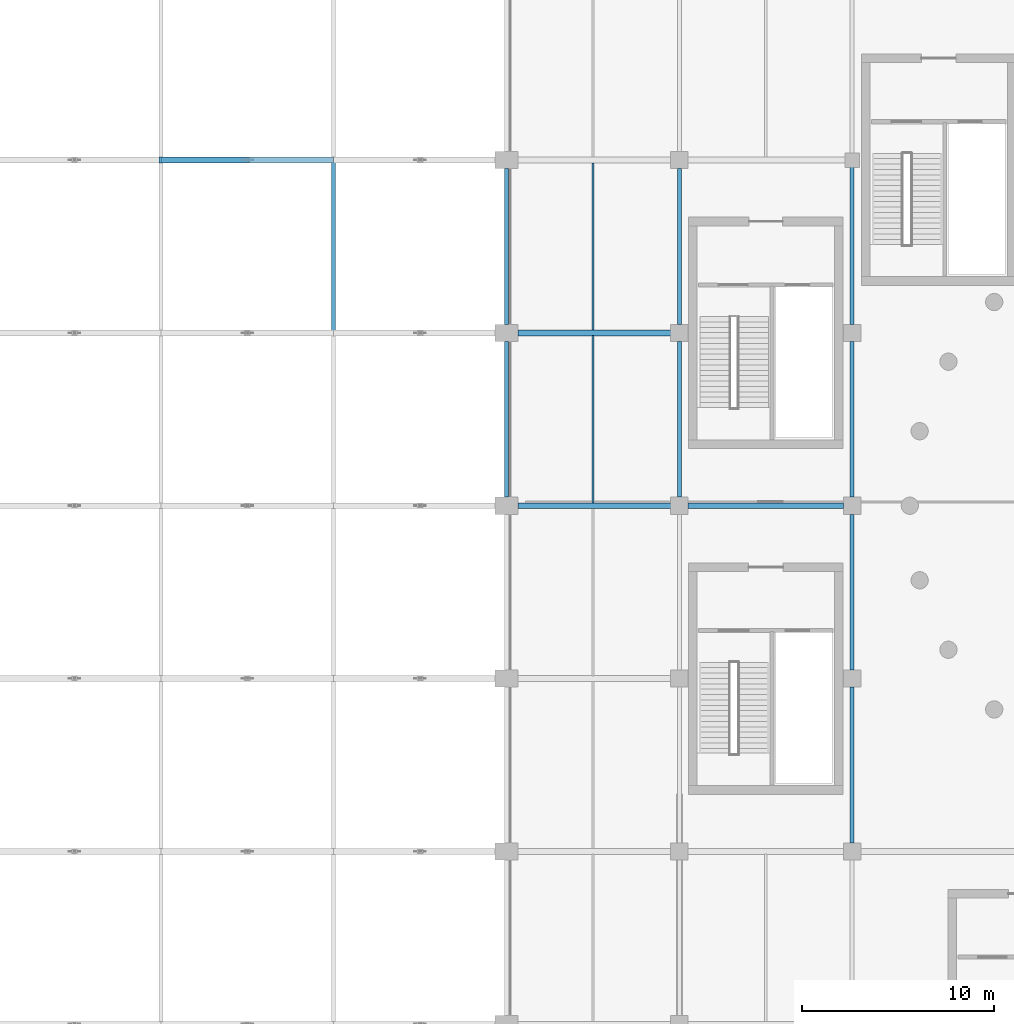
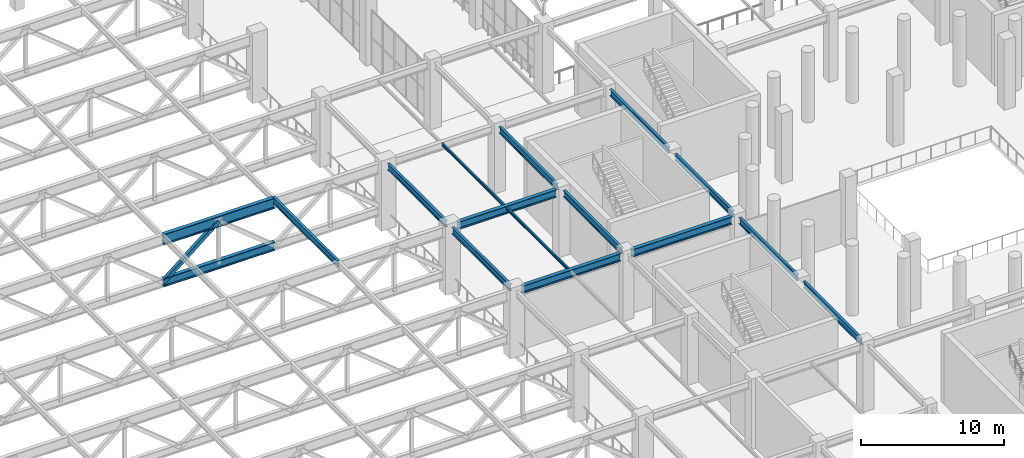
# One storey, part 25 of 223: 16 beams, 1 member.
"""IFC4 building model written with IfcOpenShell, lengths in metres."""

from ifc_helpers import new_model, si_unit, direction, frame, origin, origin_2d, place, context, subcontext, project, spatial, hollow_rectangle, i_section, extrude, material, material_profile, profile_set, type_object, element, save


model = new_model("IFC4")

# Units and contexts
model_context = context("Model", 3, precision=1e-05, world=origin(), true_north=direction((0.0, 1.0)))
body_context = subcontext(model_context, "Body", "Model", "MODEL_VIEW")
ifc_project = project(units=[si_unit("LENGTHUNIT", "METRE"), si_unit("AREAUNIT", "SQUARE_METRE"), si_unit("VOLUMEUNIT", "CUBIC_METRE"), si_unit("PLANEANGLEUNIT", "RADIAN"), si_unit("MASSUNIT", "GRAM", prefix="KILO")], contexts=[model_context])

# Site, building, storey
site_placement = place(None, origin())
site = spatial("IfcSite", under=ifc_project, at=site_placement, CompositionType="ELEMENT")
building_placement = place(site_placement, origin())
building = spatial("IfcBuilding", under=site, at=building_placement, Name="Dornveld Trade and Exhibition Forum", CompositionType="ELEMENT")
storey_placement = place(building_placement, frame((0.0, 0.0, 6.0)))
storey = spatial("IfcBuildingStorey", under=building, at=storey_placement, Name="L01", CompositionType="ELEMENT", Elevation=6.0)

# Beams
ifc_material_1 = material(Name="Steel S355J2", Category="steel")
ifc_material_profile_1 = material_profile(ifc_material_1, i_section(OverallWidth=0.300048828125, OverallDepth=0.64990234375, WebThickness=0.01611328125, FlangeThickness=0.031005859375, FilletRadius=0.027099609375, at=origin_2d()), Name="HEB 650")
ifc_profile_set_1 = profile_set([ifc_material_profile_1], Name="Steel S355J2")
beam_type_1 = type_object("IfcBeamType", Name="BM-GIR-HEB650", PredefinedType="USERDEFINED", material=ifc_profile_set_1)
beam_1_placement = place(storey_placement, frame((81.595947265625, 81.0, 5.31494140625), z_axis=(1.0, 0.0, 0.0), x_axis=(0.0, 1.0, 0.0)))
element("IfcBeam", 1, at=beam_1_placement, inside=storey, type_object=beam_type_1, Name="L01 X-girder 1179", ObjectType="GIRDER", PredefinedType="USERDEFINED", context=body_context, shape_type="SweptSolid", body=[
    extrude(i_section(OverallWidth=0.300048828125, OverallDepth=0.64990234375, WebThickness=0.01611328125, FlangeThickness=0.031005859375, FilletRadius=0.027099609375, at=origin_2d()), origin(), (0.0, 0.0, 1.0), 7.9580078125),
])
beam_2_placement = place(storey_placement, frame((90.446044921875, 81.0, 5.31494140625), z_axis=(1.0, 0.0, 0.0), x_axis=(0.0, 1.0, 0.0)))
element("IfcBeam", 2, at=beam_2_placement, inside=storey, type_object=beam_type_1, Name="L01 X-girder 1180", ObjectType="GIRDER", PredefinedType="USERDEFINED", context=body_context, shape_type="SweptSolid", body=[
    extrude(i_section(OverallWidth=0.300048828125, OverallDepth=0.64990234375, WebThickness=0.01611328125, FlangeThickness=0.031005859375, FilletRadius=0.027099609375, at=origin_2d()), origin(), (0.0, 0.0, 1.0), 8.10791015625),
])
beam_3_placement = place(storey_placement, frame((81.595947265625, 90.0, 5.31494140625), z_axis=(1.0, 0.0, 0.0), x_axis=(0.0, 1.0, 0.0)))
element("IfcBeam", 3, at=beam_3_placement, inside=storey, type_object=beam_type_1, Name="L01 X-girder 1183", ObjectType="GIRDER", PredefinedType="USERDEFINED", context=body_context, shape_type="SweptSolid", body=[
    extrude(i_section(OverallWidth=0.300048828125, OverallDepth=0.64990234375, WebThickness=0.01611328125, FlangeThickness=0.031005859375, FilletRadius=0.027099609375, at=origin_2d()), origin(), (0.0, 0.0, 1.0), 7.9580078125),
])
ifc_material_2 = material(Name="Steel S355J2", Category="steel")
ifc_material_profile_2 = material_profile(ifc_material_2, i_section(OverallWidth=0.1201171875, OverallDepth=0.239990234375, WebThickness=0.006103515625, FlangeThickness=0.009765625, FilletRadius=0.014892578125, at=origin_2d()), Name="IPE 240")
ifc_profile_set_2 = profile_set([ifc_material_profile_2], Name="Steel S355J2")
beam_type_2 = type_object("IfcBeamType", Name="BM-JOIST-240", PredefinedType="JOIST", material=ifc_profile_set_2)
for number, where, z_axis, x_axis, name in (
    (4, (85.5, 81.14697265625, 5.52001953125), (0.0, 1.0, 0.0), (-1.0, 0.0, 0.0), "L01 secondary joist 1255"),
    (5, (85.5, 90.14697265625, 5.52001953125), (0.0, 1.0, 0.0), (-1.0, 0.0, 0.0), "L01 secondary joist 1256"),
):
    element("IfcBeam", number, at=place(storey_placement, frame(where, z_axis=z_axis, x_axis=x_axis)), inside=storey, type_object=beam_type_2, Name=name, PredefinedType="JOIST", context=body_context, shape_type="SweptSolid", body=[
        extrude(i_section(OverallWidth=0.1201171875, OverallDepth=0.239990234375, WebThickness=0.006103515625, FlangeThickness=0.009765625, FilletRadius=0.014892578125, at=origin_2d()), origin(), (0.0, 0.0, 1.0), 8.7060546875),
    ])
ifc_material_3 = material(Name="Steel S355J2", Category="steel")
ifc_material_profile_3 = material_profile(ifc_material_3, i_section(OverallWidth=0.2099609375, OverallDepth=0.550048828125, WebThickness=0.010986328125, FlangeThickness=0.01708984375, FilletRadius=0.02392578125, at=origin_2d()), Name="IPE 550")
ifc_profile_set_3 = profile_set([ifc_material_profile_3], Name="Steel S355J2")
beam_type_3 = type_object("IfcBeamType", Name="BM-SEC-550", PredefinedType="BEAM", material=ifc_profile_set_3)
for number, where, z_axis, x_axis, name in (
    (6, (81.0, 81.446044921875, 5.364990234375), (0.0, 1.0, 0.0), (-1.0, 0.0, 0.0), "L01 Y-girder 1203"),
    (7, (81.0, 90.446044921875, 5.364990234375), (0.0, 1.0, 0.0), (-1.0, 0.0, 0.0), "L01 Y-girder 1204"),
    (8, (90.0, 81.446044921875, 5.364990234375), (0.0, 1.0, 0.0), (-1.0, 0.0, 0.0), "L01 Y-girder 1211"),
    (9, (90.0, 90.446044921875, 5.364990234375), (0.0, 1.0, 0.0), (-1.0, 0.0, 0.0), "L01 Y-girder 1212"),
    (10, (99.0, 63.446044921875, 5.364990234375), (0.0, 1.0, 0.0), (-1.0, 0.0, 0.0), "L01 Y-girder 1217"),
    (11, (99.0, 72.446044921875, 5.364990234375), (0.0, 1.0, 0.0), (-1.0, 0.0, 0.0), "L01 Y-girder 1218"),
    (12, (99.0, 81.446044921875, 5.364990234375), (0.0, 1.0, 0.0), (-1.0, 0.0, 0.0), "L01 Y-girder 1219"),
):
    element("IfcBeam", number, at=place(storey_placement, frame(where, z_axis=z_axis, x_axis=x_axis)), inside=storey, type_object=beam_type_3, Name=name, PredefinedType="BEAM", context=body_context, shape_type="SweptSolid", body=[
        extrude(i_section(OverallWidth=0.2099609375, OverallDepth=0.550048828125, WebThickness=0.010986328125, FlangeThickness=0.01708984375, FilletRadius=0.02392578125, at=origin_2d()), origin(), (0.0, 0.0, 1.0), 8.10791015625),
    ])
beam_4_placement = place(storey_placement, frame((99.0, 90.446044921875, 5.364990234375), z_axis=(0.0, 1.0, 0.0), x_axis=(-1.0, 0.0, 0.0)))
element("IfcBeam", 13, at=beam_4_placement, inside=storey, type_object=beam_type_3, Name="L01 Y-girder 1220", PredefinedType="BEAM", context=body_context, shape_type="SweptSolid", body=[
    extrude(i_section(OverallWidth=0.2099609375, OverallDepth=0.550048828125, WebThickness=0.010986328125, FlangeThickness=0.01708984375, FilletRadius=0.02392578125, at=origin_2d()), origin(), (0.0, 0.0, 1.0), 8.182861328125),
])
beam_5_placement = place(storey_placement, frame((72.0, 90.0, 5.364990234375), z_axis=(0.0, 1.0, 0.0), x_axis=(-1.0, 0.0, 0.0)))
element("IfcBeam", 14, at=beam_5_placement, inside=storey, type_object=beam_type_3, Name="Hall 3 secondary deck beam 1424", PredefinedType="BEAM", context=body_context, shape_type="SweptSolid", body=[
    extrude(i_section(OverallWidth=0.2099609375, OverallDepth=0.550048828125, WebThickness=0.010986328125, FlangeThickness=0.01708984375, FilletRadius=0.02392578125, at=origin_2d()), origin(), (0.0, 0.0, 1.0), 9.0),
])
ifc_material_4 = material(Name="Steel S355J2", Category="steel")
ifc_material_profile_4 = material_profile(ifc_material_4, i_section(OverallWidth=0.303955078125, OverallDepth=0.716064453125, WebThickness=0.02099609375, FlangeThickness=0.0400390625, FilletRadius=0.027099609375, at=origin_2d()), Name="HEM 700")
ifc_profile_set_4 = profile_set([ifc_material_profile_4], Name="Steel S355J2")
beam_type_4 = type_object("IfcBeamType", Name="BM-TG-BOT700", PredefinedType="USERDEFINED", material=ifc_profile_set_4)
beam_6_placement = place(storey_placement, frame((63.0, 99.0, 1.5), z_axis=(1.0, 0.0, 0.0), x_axis=(0.0, 1.0, 0.0)))
element("IfcBeam", 15, at=beam_6_placement, inside=storey, type_object=beam_type_4, Name="Hall 3 transfer truss 7 bottom chord 5", ObjectType="GIRDER", PredefinedType="USERDEFINED", context=body_context, shape_type="SweptSolid", body=[
    extrude(i_section(OverallWidth=0.303955078125, OverallDepth=0.716064453125, WebThickness=0.02099609375, FlangeThickness=0.0400390625, FilletRadius=0.027099609375, at=origin_2d()), origin(), (0.0, 0.0, 1.0), 9.0),
])
ifc_material_5 = material(Name="Steel S355J2", Category="steel")
ifc_material_profile_5 = material_profile(ifc_material_5, i_section(OverallWidth=0.302001953125, OverallDepth=0.909912109375, WebThickness=0.02099609375, FlangeThickness=0.0400390625, FilletRadius=0.030029296875, at=origin_2d()), Name="HEM 900")
ifc_profile_set_5 = profile_set([ifc_material_profile_5], Name="Steel S355J2")
beam_type_5 = type_object("IfcBeamType", Name="BM-TG-TOP900", PredefinedType="USERDEFINED", material=ifc_profile_set_5)
beam_7_placement = place(storey_placement, frame((63.0, 99.0, 5.18505859375), z_axis=(1.0, 0.0, 0.0), x_axis=(0.0, 1.0, 0.0)))
element("IfcBeam", 16, at=beam_7_placement, inside=storey, type_object=beam_type_5, Name="Hall 3 transfer truss 7 top chord 5", ObjectType="GIRDER", PredefinedType="USERDEFINED", context=body_context, shape_type="SweptSolid", body=[
    extrude(i_section(OverallWidth=0.302001953125, OverallDepth=0.909912109375, WebThickness=0.02099609375, FlangeThickness=0.0400390625, FilletRadius=0.030029296875, at=origin_2d()), origin(), (0.0, 0.0, 1.0), 9.0),
])

# Member
ifc_material_6 = material(Name="Steel S355J2", Category="steel")
ifc_material_profile_6 = material_profile(ifc_material_6, hollow_rectangle(XDim=0.300048828125, YDim=0.300048828125, WallThickness=0.01611328125, at=origin_2d()), Name="SHS 300x300x16")
ifc_profile_set_6 = profile_set([ifc_material_profile_6], Name="Steel S355J2")
member_type = type_object("IfcMemberType", Name="MEM-XFER-WEB", PredefinedType="BRACE", material=ifc_profile_set_6)
member_placement = place(storey_placement, frame((63.0, 99.0, 1.5), z_axis=(0.773684181611, 0.0, 0.633571453843), x_axis=(0.0, 1.0, 0.0)))
element("IfcMember", 17, at=member_placement, inside=storey, type_object=member_type, Name="Transfer truss 7 web 121", PredefinedType="BRACE", context=body_context, shape_type="SweptSolid", body=[
    extrude(hollow_rectangle(XDim=0.300048828125, YDim=0.300048828125, WallThickness=0.01611328125, at=origin_2d()), origin(), (0.0, 0.0, 1.0), 5.81640625),
])

save(model, "model.ifc")
